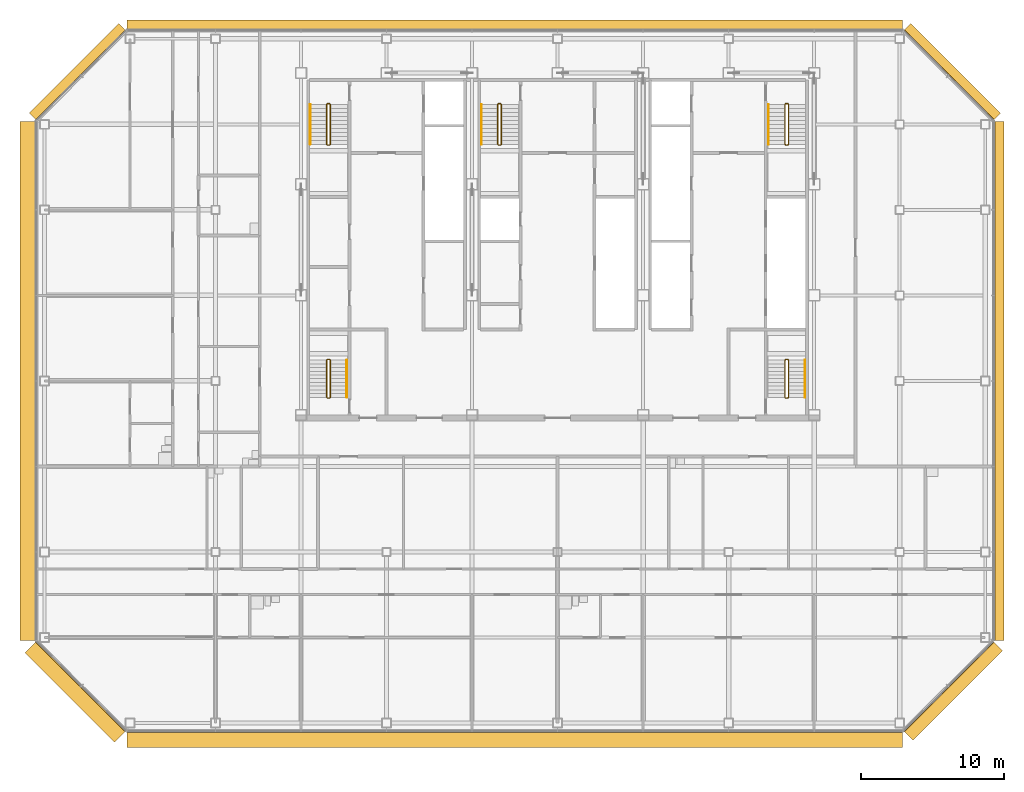
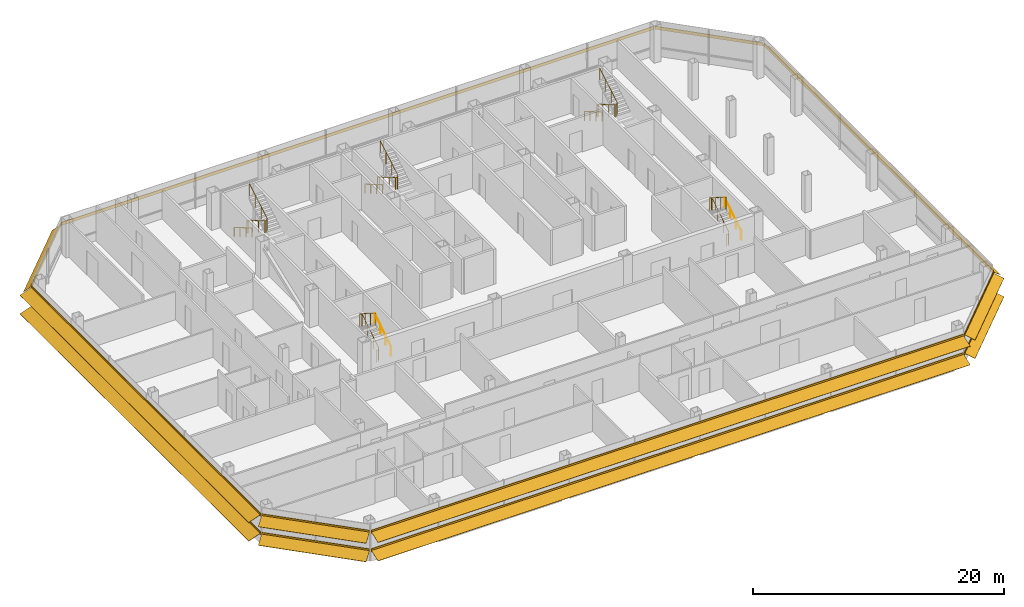
# One storey, part 25 of 26: 10 railings, 8 shading devices.
"""IFC4 building model written with IfcOpenShell, lengths in metres."""

from ifc_helpers import new_model, si_unit, direction, frame, origin, origin_2d, place, context, subcontext, project, spatial, polyline, circle, outline, composite_profile, extrude, material, type_object, element, save


model = new_model("IFC4")

# Units and contexts
model_context = context("Model", 3, precision=1e-05, world=origin(), true_north=direction((0.0, 1.0)))
body_context = subcontext(model_context, "Body", "Model", "MODEL_VIEW")
ifc_project = project(units=[si_unit("LENGTHUNIT", "METRE"), si_unit("AREAUNIT", "SQUARE_METRE"), si_unit("VOLUMEUNIT", "CUBIC_METRE"), si_unit("PLANEANGLEUNIT", "RADIAN"), si_unit("MASSUNIT", "GRAM", prefix="KILO")], contexts=[model_context])

# Site, building, storey
site_placement = place(None, origin())
site = spatial("IfcSite", under=ifc_project, at=site_placement, CompositionType="ELEMENT")
building_placement = place(site_placement, origin())
building = spatial("IfcBuilding", under=site, at=building_placement, Name="Sorahane Residences", CompositionType="ELEMENT")
storey_placement = place(building_placement, frame((0.0, 0.0, 222.60009765625)))
storey = spatial("IfcBuildingStorey", under=building, at=storey_placement, Name="L52", CompositionType="ELEMENT", Elevation=222.60009765625)

# Shading devices
ifc_material_1 = material(Name="Terracotta anodised aluminium", Category="masonry")
shading_device_type_1 = type_object("IfcShadingDeviceType", Name="Louvre sunshade blade E terracotta aluminium 700", PredefinedType="JALOUSIE", material=ifc_material_1)
shading_device_1_placement = place(storey_placement, frame((54.60009765625, 5.801513671875, 2.699951171875), z_axis=(0.0, 1.0, 0.0), x_axis=(-1.0, 0.0, 0.0)))
element("IfcShadingDevice", 1, at=shading_device_1_placement, inside=storey, type_object=shading_device_type_1, Name="Louvre sunshade blade bank E L52 E1", PredefinedType="JALOUSIE", context=body_context, shape_type="SweptSolid", body=[
    extrude(outline(polyline([(-0.719970703125, -0.49365234375), (-0.719970703125, -0.523681640625), (-0.080078125, -0.05859375), (-0.080078125, -0.14990234375), (-0.02001953125, -0.14990234375), (-0.02001953125, -0.014892578125), (-0.02001953125, 0.014892578125), (-0.02001953125, 0.14990234375), (-0.080078125, 0.14990234375), (-0.080078125, -0.028564453125), (-0.719970703125, -0.49365234375)])), origin(), (0.0, 0.0, 1.0), 36.39697265625),
])
ifc_material_2 = material(Name="Terracotta anodised aluminium", Category="masonry")
shading_device_type_2 = type_object("IfcShadingDeviceType", Name="Louvre sunshade blade N terracotta aluminium 700", PredefinedType="JALOUSIE", material=ifc_material_2)
shading_device_2_placement = place(storey_placement, frame((48.198486328125, 48.60009765625, 2.699951171875), z_axis=(-1.0, 0.0, 0.0), x_axis=(0.0, -1.0, 0.0)))
element("IfcShadingDevice", 2, at=shading_device_2_placement, inside=storey, type_object=shading_device_type_2, Name="Louvre sunshade blade bank N L52 N1", PredefinedType="JALOUSIE", context=body_context, shape_type="SweptSolid", body=[
    extrude(outline(polyline([(-0.719970703125, -0.660888671875), (-0.719970703125, -0.69091796875), (-0.080078125, -0.072998046875), (-0.080078125, -0.14990234375), (-0.02001953125, -0.14990234375), (-0.02001953125, -0.014892578125), (-0.02001953125, 0.014892578125), (-0.02001953125, 0.14990234375), (-0.080078125, 0.14990234375), (-0.080078125, -0.04296875), (-0.719970703125, -0.660888671875)])), origin(), (0.0, 0.0, 1.0), 54.39697265625),
])
ifc_material_3 = material(Name="Terracotta anodised aluminium", Category="masonry")
shading_device_type_3 = type_object("IfcShadingDeviceType", Name="Louvre sunshade blade NE terracotta aluminium 700", PredefinedType="JALOUSIE", material=ifc_material_3)
shading_device_3_placement = place(storey_placement, frame((54.564697265625, 42.283935546875, 2.699951171875), z_axis=(-0.707106781187, 0.707106781187, 0.0), x_axis=(-0.707106781187, -0.707106781187, 0.0)))
element("IfcShadingDevice", 3, at=shading_device_3_placement, inside=storey, type_object=shading_device_type_3, Name="Louvre sunshade blade bank NE L52 NE1", PredefinedType="JALOUSIE", context=body_context, shape_type="SweptSolid", body=[
    extrude(outline(polyline([(-0.719970703125, -0.572509765625), (-0.719970703125, -0.602294921875), (-0.080078125, -0.065185546875), (-0.080078125, -0.14990234375), (-0.02001953125, -0.14990234375), (-0.02001953125, -0.014892578125), (-0.02001953125, 0.014892578125), (-0.02001953125, 0.14990234375), (-0.080078125, 0.14990234375), (-0.080078125, -0.035400390625), (-0.719970703125, -0.572509765625)])), origin(), (0.0, 0.0, 1.0), 8.88232421875),
])
ifc_material_4 = material(Name="Terracotta anodised aluminium", Category="masonry")
shading_device_type_4 = type_object("IfcShadingDeviceType", Name="Louvre sunshade blade NW terracotta aluminium 700", PredefinedType="JALOUSIE", material=ifc_material_4)
shading_device_4_placement = place(storey_placement, frame((-6.283935546875, 48.564697265625, 2.699951171875), z_axis=(-0.707106781187, -0.707106781187, 0.0), x_axis=(0.707106781187, -0.707106781187, 0.0)))
element("IfcShadingDevice", 4, at=shading_device_4_placement, inside=storey, type_object=shading_device_type_4, Name="Louvre sunshade blade bank NW L52 NW1", PredefinedType="JALOUSIE", context=body_context, shape_type="SweptSolid", body=[
    extrude(outline(polyline([(-0.719970703125, -0.660888671875), (-0.719970703125, -0.69091796875), (-0.080078125, -0.072998046875), (-0.080078125, -0.14990234375), (-0.02001953125, -0.14990234375), (-0.02001953125, -0.014892578125), (-0.02001953125, 0.014892578125), (-0.02001953125, 0.14990234375), (-0.080078125, 0.14990234375), (-0.080078125, -0.04296875), (-0.719970703125, -0.660888671875)])), origin(), (0.0, 0.0, 1.0), 8.88232421875),
])
ifc_material_5 = material(Name="Terracotta anodised aluminium", Category="masonry")
shading_device_type_5 = type_object("IfcShadingDeviceType", Name="Louvre sunshade blade S terracotta aluminium 1100", PredefinedType="JALOUSIE", material=ifc_material_5)
shading_device_5_placement = place(storey_placement, frame((-6.198486328125, -0.60009765625, 0.89990234375), z_axis=(1.0, 0.0, 0.0), x_axis=(0.0, 1.0, 0.0)))
element("IfcShadingDevice", 5, at=shading_device_5_placement, inside=storey, type_object=shading_device_type_5, Name="Louvre sunshade blade bank S L52 S1", PredefinedType="JALOUSIE", context=body_context, shape_type="SweptSolid", body=[
    extrude(composite_profile([outline(polyline([(-1.1201171875, -0.385498046875), (-1.1201171875, -0.415283203125), (-0.080078125, -0.036865234375), (-0.080078125, -0.14990234375), (-0.02001953125, -0.14990234375), (-0.02001953125, -0.014892578125), (-0.02001953125, 0.014892578125), (-0.02001953125, 0.14990234375), (-0.080078125, 0.14990234375), (-0.080078125, -0.0068359375), (-1.1201171875, -0.385498046875)])), outline(polyline([(-1.1201171875, 1.41455078125), (-1.1201171875, 1.384521484375), (-0.080078125, 1.76318359375), (-0.080078125, 1.64990234375), (-0.02001953125, 1.64990234375), (-0.02001953125, 1.784912109375), (-0.02001953125, 1.81494140625), (-0.02001953125, 1.949951171875), (-0.080078125, 1.949951171875), (-0.080078125, 1.793212890625), (-1.1201171875, 1.41455078125)]))]), origin(), (0.0, 0.0, 1.0), 54.39697265625),
])
ifc_material_6 = material(Name="Terracotta anodised aluminium", Category="masonry")
shading_device_type_6 = type_object("IfcShadingDeviceType", Name="Louvre sunshade blade SE terracotta aluminium 900", PredefinedType="JALOUSIE", material=ifc_material_6)
shading_device_6_placement = place(storey_placement, frame((48.283935546875, -0.564697265625, 0.89990234375), z_axis=(0.707106781187, 0.707106781187, 0.0), x_axis=(-0.707106781187, 0.707106781187, 0.0)))
element("IfcShadingDevice", 6, at=shading_device_6_placement, inside=storey, type_object=shading_device_type_6, Name="Louvre sunshade blade bank SE L52 SE1", PredefinedType="JALOUSIE", context=body_context, shape_type="SweptSolid", body=[
    extrude(composite_profile([outline(polyline([(-0.919921875, -0.3486328125), (-0.919921875, -0.378662109375), (-0.080078125, -0.039306640625), (-0.080078125, -0.14990234375), (-0.02001953125, -0.14990234375), (-0.02001953125, -0.014892578125), (-0.02001953125, 0.014892578125), (-0.02001953125, 0.14990234375), (-0.080078125, 0.14990234375), (-0.080078125, -0.00927734375), (-0.919921875, -0.3486328125)])), outline(polyline([(-0.919921875, 1.451416015625), (-0.919921875, 1.42138671875), (-0.080078125, 1.7607421875), (-0.080078125, 1.64990234375), (-0.02001953125, 1.64990234375), (-0.02001953125, 1.784912109375), (-0.02001953125, 1.81494140625), (-0.02001953125, 1.949951171875), (-0.080078125, 1.949951171875), (-0.080078125, 1.790771484375), (-0.919921875, 1.451416015625)]))]), origin(), (0.0, 0.0, 1.0), 8.88232421875),
])
ifc_material_7 = material(Name="Terracotta anodised aluminium", Category="masonry")
shading_device_type_7 = type_object("IfcShadingDeviceType", Name="Louvre sunshade blade SW terracotta aluminium 1100", PredefinedType="JALOUSIE", material=ifc_material_7)
shading_device_7_placement = place(storey_placement, frame((-12.564697265625, 5.716064453125, 0.89990234375), z_axis=(0.707106781187, -0.707106781187, 0.0), x_axis=(0.707106781187, 0.707106781187, 0.0)))
element("IfcShadingDevice", 7, at=shading_device_7_placement, inside=storey, type_object=shading_device_type_7, Name="Louvre sunshade blade bank SW L52 SW1", PredefinedType="JALOUSIE", context=body_context, shape_type="SweptSolid", body=[
    extrude(composite_profile([outline(polyline([(-1.1201171875, -0.385498046875), (-1.1201171875, -0.415283203125), (-0.080078125, -0.036865234375), (-0.080078125, -0.14990234375), (-0.02001953125, -0.14990234375), (-0.02001953125, -0.014892578125), (-0.02001953125, 0.014892578125), (-0.02001953125, 0.14990234375), (-0.080078125, 0.14990234375), (-0.080078125, -0.0068359375), (-1.1201171875, -0.385498046875)])), outline(polyline([(-1.1201171875, 1.41455078125), (-1.1201171875, 1.384521484375), (-0.080078125, 1.76318359375), (-0.080078125, 1.64990234375), (-0.02001953125, 1.64990234375), (-0.02001953125, 1.784912109375), (-0.02001953125, 1.81494140625), (-0.02001953125, 1.949951171875), (-0.080078125, 1.949951171875), (-0.080078125, 1.793212890625), (-1.1201171875, 1.41455078125)]))]), origin(), (0.0, 0.0, 1.0), 8.88232421875),
])
ifc_material_8 = material(Name="Terracotta anodised aluminium", Category="masonry")
shading_device_type_8 = type_object("IfcShadingDeviceType", Name="Louvre sunshade blade W terracotta aluminium 1100", PredefinedType="JALOUSIE", material=ifc_material_8)
shading_device_8_placement = place(storey_placement, frame((-12.60009765625, 42.198486328125, 0.89990234375), z_axis=(0.0, -1.0, 0.0), x_axis=(1.0, 0.0, 0.0)))
element("IfcShadingDevice", 8, at=shading_device_8_placement, inside=storey, type_object=shading_device_type_8, Name="Louvre sunshade blade bank W L52 W1", PredefinedType="JALOUSIE", context=body_context, shape_type="SweptSolid", body=[
    extrude(composite_profile([outline(polyline([(-1.1201171875, -0.385498046875), (-1.1201171875, -0.415283203125), (-0.080078125, -0.036865234375), (-0.080078125, -0.14990234375), (-0.02001953125, -0.14990234375), (-0.02001953125, -0.014892578125), (-0.02001953125, 0.014892578125), (-0.02001953125, 0.14990234375), (-0.080078125, 0.14990234375), (-0.080078125, -0.0068359375), (-1.1201171875, -0.385498046875)])), outline(polyline([(-1.1201171875, 1.41455078125), (-1.1201171875, 1.384521484375), (-0.080078125, 1.76318359375), (-0.080078125, 1.64990234375), (-0.02001953125, 1.64990234375), (-0.02001953125, 1.784912109375), (-0.02001953125, 1.81494140625), (-0.02001953125, 1.949951171875), (-0.080078125, 1.949951171875), (-0.080078125, 1.793212890625), (-1.1201171875, 1.41455078125)]))]), origin(), (0.0, 0.0, 1.0), 36.39697265625),
])

# Railings
ifc_material_9 = material(Name="Steel Q355B", Category="steel")
railing_type_1 = type_object("IfcRailingType", Name="Stair guard 1200 Steel Q355B", PredefinedType="GUARDRAIL", material=ifc_material_9)
railing_1_placement = place(storey_placement, frame((8.0, 43.449951171875, 0.0)))
element("IfcRailing", 9, at=railing_1_placement, inside=storey, type_object=railing_type_1, Name="L52 S1 stair guard 1", PredefinedType="GUARDRAIL", context=body_context, shape_type="SweptSolid", body=[
    extrude(circle(Radius=0.02392578125, at=origin_2d()), frame((0.0, 0.0, 1.17578125), z_axis=(-1.0, 0.0, 0.0), x_axis=(0.0, -1.0, 0.0)), (0.0, 0.0, 1.0), 0.14990234375),
    extrude(circle(Radius=0.02392578125, at=origin_2d()), frame((-0.14990234375, 0.0, 1.17578125), z_axis=(-0.280808744504, -0.280808744504, 0.917765164963), x_axis=(0.707106781187, -0.707106781187, 0.0)), (0.0, 0.0, 1.0), 0.17822265625),
    extrude(circle(Radius=0.02392578125, at=origin_2d()), frame((-0.199951171875, -0.050048828125, 1.33935546875), z_axis=(0.0, -0.863374499697, 0.504563646405), x_axis=(1.0, 0.0, 0.0)), (0.0, 0.0, 1.0), 3.242919921875),
    extrude(circle(Radius=0.02392578125, at=origin_2d()), frame((-0.199951171875, -2.849853515625, 2.9755859375), z_axis=(0.707106781187, -0.707106781187, 0.0), x_axis=(0.707106781187, 0.707106781187, 0.0)), (0.0, 0.0, 1.0), 0.07080078125),
    extrude(circle(Radius=0.02392578125, at=origin_2d()), frame((-0.14990234375, -2.89990234375, 2.9755859375), z_axis=(1.0, 0.0, 0.0), x_axis=(0.0, 1.0, 0.0)), (0.0, 0.0, 1.0), 0.14990234375),
    extrude(circle(Radius=0.02392578125, at=origin_2d()), frame((0.0, -2.89990234375, 2.9755859375), z_axis=(0.280456126637, 0.280456126637, 0.917980785237), x_axis=(-0.707106781187, 0.707106781187, 0.0)), (0.0, 0.0, 1.0), 0.178466796875),
    extrude(circle(Radius=0.02392578125, at=origin_2d()), frame((0.050048828125, -2.849853515625, 3.1396484375), z_axis=(0.0, 0.863374499697, 0.504563646405), x_axis=(-1.0, 0.0, 0.0)), (0.0, 0.0, 1.0), 3.242919921875),
    extrude(circle(Radius=0.02099609375, at=origin_2d()), origin(), (0.0, 0.0, 1.0), 1.15185546875),
    extrude(circle(Radius=0.02099609375, at=origin_2d()), frame((-0.14990234375, 0.0, 0.0)), (0.0, 0.0, 1.0), 1.15185546875),
    extrude(circle(Radius=0.02099609375, at=origin_2d()), frame((-0.199951171875, -0.050048828125, 0.16357421875)), (0.0, 0.0, 1.0), 1.15185546875),
    extrude(circle(Radius=0.02099609375, at=origin_2d()), frame((-0.199951171875, -0.9833984375, 0.708984375)), (0.0, 0.0, 1.0), 1.15185546875),
    extrude(circle(Radius=0.02099609375, at=origin_2d()), frame((-0.199951171875, -1.91650390625, 1.25439453125)), (0.0, 0.0, 1.0), 1.15185546875),
    extrude(circle(Radius=0.02099609375, at=origin_2d()), frame((-0.199951171875, -2.849853515625, 1.7998046875)), (0.0, 0.0, 1.0), 1.15185546875),
    extrude(circle(Radius=0.02099609375, at=origin_2d()), frame((-0.14990234375, -2.89990234375, 1.7998046875)), (0.0, 0.0, 1.0), 1.15185546875),
    extrude(circle(Radius=0.02099609375, at=origin_2d()), frame((0.0, -2.89990234375, 1.7998046875)), (0.0, 0.0, 1.0), 1.15185546875),
    extrude(circle(Radius=0.02099609375, at=origin_2d()), frame((0.050048828125, -2.849853515625, 1.963623046875)), (0.0, 0.0, 1.0), 1.15185546875),
    extrude(circle(Radius=0.02099609375, at=origin_2d()), frame((0.050048828125, -1.91650390625, 2.509033203125)), (0.0, 0.0, 1.0), 1.15185546875),
    extrude(circle(Radius=0.02099609375, at=origin_2d()), frame((0.050048828125, -0.9833984375, 3.054443359375)), (0.0, 0.0, 1.0), 1.15185546875),
    extrude(circle(Radius=0.02099609375, at=origin_2d()), frame((0.050048828125, -0.050048828125, 3.599853515625)), (0.0, 0.0, 1.0), 1.15185546875),
])
railing_2_placement = place(storey_placement, frame((40.14990234375, 43.449951171875, 0.0)))
element("IfcRailing", 10, at=railing_2_placement, inside=storey, type_object=railing_type_1, Name="L52 S2 stair guard 1", PredefinedType="GUARDRAIL", context=body_context, shape_type="SweptSolid", body=[
    extrude(circle(Radius=0.02392578125, at=origin_2d()), frame((0.0, 0.0, 1.17578125), z_axis=(-1.0, 0.0, 0.0), x_axis=(0.0, -1.0, 0.0)), (0.0, 0.0, 1.0), 0.14990234375),
    extrude(circle(Radius=0.02392578125, at=origin_2d()), frame((-0.14990234375, 0.0, 1.17578125), z_axis=(-0.280808744504, -0.280808744504, 0.917765164963), x_axis=(0.707106781187, -0.707106781187, 0.0)), (0.0, 0.0, 1.0), 0.17822265625),
    extrude(circle(Radius=0.02392578125, at=origin_2d()), frame((-0.199951171875, -0.050048828125, 1.33935546875), z_axis=(0.0, -0.863374499697, 0.504563646405), x_axis=(1.0, 0.0, 0.0)), (0.0, 0.0, 1.0), 3.242919921875),
    extrude(circle(Radius=0.02392578125, at=origin_2d()), frame((-0.199951171875, -2.849853515625, 2.9755859375), z_axis=(0.707106781187, -0.707106781187, 0.0), x_axis=(0.707106781187, 0.707106781187, 0.0)), (0.0, 0.0, 1.0), 0.07080078125),
    extrude(circle(Radius=0.02392578125, at=origin_2d()), frame((-0.14990234375, -2.89990234375, 2.9755859375), z_axis=(1.0, 0.0, 0.0), x_axis=(0.0, 1.0, 0.0)), (0.0, 0.0, 1.0), 0.14990234375),
    extrude(circle(Radius=0.02392578125, at=origin_2d()), frame((0.0, -2.89990234375, 2.9755859375), z_axis=(0.280456126637, 0.280456126637, 0.917980785237), x_axis=(-0.707106781187, 0.707106781187, 0.0)), (0.0, 0.0, 1.0), 0.178466796875),
    extrude(circle(Radius=0.02392578125, at=origin_2d()), frame((0.050048828125, -2.849853515625, 3.1396484375), z_axis=(0.0, 0.863374499697, 0.504563646405), x_axis=(-1.0, 0.0, 0.0)), (0.0, 0.0, 1.0), 3.242919921875),
    extrude(circle(Radius=0.02099609375, at=origin_2d()), origin(), (0.0, 0.0, 1.0), 1.15185546875),
    extrude(circle(Radius=0.02099609375, at=origin_2d()), frame((-0.14990234375, 0.0, 0.0)), (0.0, 0.0, 1.0), 1.15185546875),
    extrude(circle(Radius=0.02099609375, at=origin_2d()), frame((-0.199951171875, -0.050048828125, 0.16357421875)), (0.0, 0.0, 1.0), 1.15185546875),
    extrude(circle(Radius=0.02099609375, at=origin_2d()), frame((-0.199951171875, -0.9833984375, 0.708984375)), (0.0, 0.0, 1.0), 1.15185546875),
    extrude(circle(Radius=0.02099609375, at=origin_2d()), frame((-0.199951171875, -1.91650390625, 1.25439453125)), (0.0, 0.0, 1.0), 1.15185546875),
    extrude(circle(Radius=0.02099609375, at=origin_2d()), frame((-0.199951171875, -2.849853515625, 1.7998046875)), (0.0, 0.0, 1.0), 1.15185546875),
    extrude(circle(Radius=0.02099609375, at=origin_2d()), frame((-0.14990234375, -2.89990234375, 1.7998046875)), (0.0, 0.0, 1.0), 1.15185546875),
    extrude(circle(Radius=0.02099609375, at=origin_2d()), frame((0.0, -2.89990234375, 1.7998046875)), (0.0, 0.0, 1.0), 1.15185546875),
    extrude(circle(Radius=0.02099609375, at=origin_2d()), frame((0.050048828125, -2.849853515625, 1.963623046875)), (0.0, 0.0, 1.0), 1.15185546875),
    extrude(circle(Radius=0.02099609375, at=origin_2d()), frame((0.050048828125, -1.91650390625, 2.509033203125)), (0.0, 0.0, 1.0), 1.15185546875),
    extrude(circle(Radius=0.02099609375, at=origin_2d()), frame((0.050048828125, -0.9833984375, 3.054443359375)), (0.0, 0.0, 1.0), 1.15185546875),
    extrude(circle(Radius=0.02099609375, at=origin_2d()), frame((0.050048828125, -0.050048828125, 3.599853515625)), (0.0, 0.0, 1.0), 1.15185546875),
])
railing_3_placement = place(storey_placement, frame((20.0, 43.449951171875, 0.0)))
element("IfcRailing", 11, at=railing_3_placement, inside=storey, type_object=railing_type_1, Name="L52 S3 stair guard 1", PredefinedType="GUARDRAIL", context=body_context, shape_type="SweptSolid", body=[
    extrude(circle(Radius=0.02392578125, at=origin_2d()), frame((0.0, 0.0, 1.17578125), z_axis=(-1.0, 0.0, 0.0), x_axis=(0.0, -1.0, 0.0)), (0.0, 0.0, 1.0), 0.14990234375),
    extrude(circle(Radius=0.02392578125, at=origin_2d()), frame((-0.14990234375, 0.0, 1.17578125), z_axis=(-0.280808744504, -0.280808744504, 0.917765164963), x_axis=(0.707106781187, -0.707106781187, 0.0)), (0.0, 0.0, 1.0), 0.17822265625),
    extrude(circle(Radius=0.02392578125, at=origin_2d()), frame((-0.199951171875, -0.050048828125, 1.33935546875), z_axis=(0.0, -0.863374499697, 0.504563646405), x_axis=(1.0, 0.0, 0.0)), (0.0, 0.0, 1.0), 3.242919921875),
    extrude(circle(Radius=0.02392578125, at=origin_2d()), frame((-0.199951171875, -2.849853515625, 2.9755859375), z_axis=(0.707106781187, -0.707106781187, 0.0), x_axis=(0.707106781187, 0.707106781187, 0.0)), (0.0, 0.0, 1.0), 0.07080078125),
    extrude(circle(Radius=0.02392578125, at=origin_2d()), frame((-0.14990234375, -2.89990234375, 2.9755859375), z_axis=(1.0, 0.0, 0.0), x_axis=(0.0, 1.0, 0.0)), (0.0, 0.0, 1.0), 0.14990234375),
    extrude(circle(Radius=0.02392578125, at=origin_2d()), frame((0.0, -2.89990234375, 2.9755859375), z_axis=(0.280456126637, 0.280456126637, 0.917980785237), x_axis=(-0.707106781187, 0.707106781187, 0.0)), (0.0, 0.0, 1.0), 0.178466796875),
    extrude(circle(Radius=0.02392578125, at=origin_2d()), frame((0.050048828125, -2.849853515625, 3.1396484375), z_axis=(0.0, 0.863374499697, 0.504563646405), x_axis=(-1.0, 0.0, 0.0)), (0.0, 0.0, 1.0), 3.242919921875),
    extrude(circle(Radius=0.02099609375, at=origin_2d()), origin(), (0.0, 0.0, 1.0), 1.15185546875),
    extrude(circle(Radius=0.02099609375, at=origin_2d()), frame((-0.14990234375, 0.0, 0.0)), (0.0, 0.0, 1.0), 1.15185546875),
    extrude(circle(Radius=0.02099609375, at=origin_2d()), frame((-0.199951171875, -0.050048828125, 0.16357421875)), (0.0, 0.0, 1.0), 1.15185546875),
    extrude(circle(Radius=0.02099609375, at=origin_2d()), frame((-0.199951171875, -0.9833984375, 0.708984375)), (0.0, 0.0, 1.0), 1.15185546875),
    extrude(circle(Radius=0.02099609375, at=origin_2d()), frame((-0.199951171875, -1.91650390625, 1.25439453125)), (0.0, 0.0, 1.0), 1.15185546875),
    extrude(circle(Radius=0.02099609375, at=origin_2d()), frame((-0.199951171875, -2.849853515625, 1.7998046875)), (0.0, 0.0, 1.0), 1.15185546875),
    extrude(circle(Radius=0.02099609375, at=origin_2d()), frame((-0.14990234375, -2.89990234375, 1.7998046875)), (0.0, 0.0, 1.0), 1.15185546875),
    extrude(circle(Radius=0.02099609375, at=origin_2d()), frame((0.0, -2.89990234375, 1.7998046875)), (0.0, 0.0, 1.0), 1.15185546875),
    extrude(circle(Radius=0.02099609375, at=origin_2d()), frame((0.050048828125, -2.849853515625, 1.963623046875)), (0.0, 0.0, 1.0), 1.15185546875),
    extrude(circle(Radius=0.02099609375, at=origin_2d()), frame((0.050048828125, -1.91650390625, 2.509033203125)), (0.0, 0.0, 1.0), 1.15185546875),
    extrude(circle(Radius=0.02099609375, at=origin_2d()), frame((0.050048828125, -0.9833984375, 3.054443359375)), (0.0, 0.0, 1.0), 1.15185546875),
    extrude(circle(Radius=0.02099609375, at=origin_2d()), frame((0.050048828125, -0.050048828125, 3.599853515625)), (0.0, 0.0, 1.0), 1.15185546875),
])
railing_4_placement = place(storey_placement, frame((7.85009765625, 22.800048828125, 0.0)))
element("IfcRailing", 12, at=railing_4_placement, inside=storey, type_object=railing_type_1, Name="L52 S4 stair guard 1", PredefinedType="GUARDRAIL", context=body_context, shape_type="SweptSolid", body=[
    extrude(circle(Radius=0.02392578125, at=origin_2d()), frame((0.0, 0.0, 1.17578125), z_axis=(1.0, 0.0, 0.0), x_axis=(0.0, 1.0, 0.0)), (0.0, 0.0, 1.0), 0.14990234375),
    extrude(circle(Radius=0.02392578125, at=origin_2d()), frame((0.14990234375, 0.0, 1.17578125), z_axis=(0.280808744504, 0.280808744504, 0.917765164963), x_axis=(-0.707106781187, 0.707106781187, 0.0)), (0.0, 0.0, 1.0), 0.17822265625),
    extrude(circle(Radius=0.02392578125, at=origin_2d()), frame((0.199951171875, 0.050048828125, 1.33935546875), z_axis=(0.0, 0.846337672412, 0.532646734952), x_axis=(-1.0, 0.0, 0.0)), (0.0, 0.0, 1.0), 3.07177734375),
    extrude(circle(Radius=0.02392578125, at=origin_2d()), frame((0.199951171875, 2.64990234375, 2.9755859375), z_axis=(-0.707106781187, 0.707106781187, 0.0), x_axis=(-0.707106781187, -0.707106781187, 0.0)), (0.0, 0.0, 1.0), 0.07080078125),
    extrude(circle(Radius=0.02392578125, at=origin_2d()), frame((0.14990234375, 2.699951171875, 2.9755859375), z_axis=(-1.0, 0.0, 0.0), x_axis=(0.0, -1.0, 0.0)), (0.0, 0.0, 1.0), 0.14990234375),
    extrude(circle(Radius=0.02392578125, at=origin_2d()), frame((0.0, 2.699951171875, 2.9755859375), z_axis=(-0.280456126637, -0.280456126637, 0.917980785237), x_axis=(0.707106781187, -0.707106781187, 0.0)), (0.0, 0.0, 1.0), 0.178466796875),
    extrude(circle(Radius=0.02392578125, at=origin_2d()), frame((-0.050048828125, 2.64990234375, 3.1396484375), z_axis=(0.0, -0.846337672412, 0.532646734952), x_axis=(1.0, 0.0, 0.0)), (0.0, 0.0, 1.0), 3.07177734375),
    extrude(circle(Radius=0.02099609375, at=origin_2d()), origin(), (0.0, 0.0, 1.0), 1.15185546875),
    extrude(circle(Radius=0.02099609375, at=origin_2d()), frame((0.14990234375, 0.0, 0.0)), (0.0, 0.0, 1.0), 1.15185546875),
    extrude(circle(Radius=0.02099609375, at=origin_2d()), frame((0.199951171875, 0.050048828125, 0.16357421875)), (0.0, 0.0, 1.0), 1.15185546875),
    extrude(circle(Radius=0.02099609375, at=origin_2d()), frame((0.199951171875, 0.916748046875, 0.708984375)), (0.0, 0.0, 1.0), 1.15185546875),
    extrude(circle(Radius=0.02099609375, at=origin_2d()), frame((0.199951171875, 1.783203125, 1.25439453125)), (0.0, 0.0, 1.0), 1.15185546875),
    extrude(circle(Radius=0.02099609375, at=origin_2d()), frame((0.199951171875, 2.64990234375, 1.7998046875)), (0.0, 0.0, 1.0), 1.15185546875),
    extrude(circle(Radius=0.02099609375, at=origin_2d()), frame((0.14990234375, 2.699951171875, 1.7998046875)), (0.0, 0.0, 1.0), 1.15185546875),
    extrude(circle(Radius=0.02099609375, at=origin_2d()), frame((0.0, 2.699951171875, 1.7998046875)), (0.0, 0.0, 1.0), 1.15185546875),
    extrude(circle(Radius=0.02099609375, at=origin_2d()), frame((-0.050048828125, 2.64990234375, 1.963623046875)), (0.0, 0.0, 1.0), 1.15185546875),
    extrude(circle(Radius=0.02099609375, at=origin_2d()), frame((-0.050048828125, 1.783203125, 2.509033203125)), (0.0, 0.0, 1.0), 1.15185546875),
    extrude(circle(Radius=0.02099609375, at=origin_2d()), frame((-0.050048828125, 0.916748046875, 3.054443359375)), (0.0, 0.0, 1.0), 1.15185546875),
    extrude(circle(Radius=0.02099609375, at=origin_2d()), frame((-0.050048828125, 0.050048828125, 3.599853515625)), (0.0, 0.0, 1.0), 1.15185546875),
])
railing_5_placement = place(storey_placement, frame((40.0, 22.800048828125, 0.0)))
element("IfcRailing", 13, at=railing_5_placement, inside=storey, type_object=railing_type_1, Name="L52 S5 stair guard 1", PredefinedType="GUARDRAIL", context=body_context, shape_type="SweptSolid", body=[
    extrude(circle(Radius=0.02392578125, at=origin_2d()), frame((0.0, 0.0, 1.17578125), z_axis=(1.0, 0.0, 0.0), x_axis=(0.0, 1.0, 0.0)), (0.0, 0.0, 1.0), 0.14990234375),
    extrude(circle(Radius=0.02392578125, at=origin_2d()), frame((0.14990234375, 0.0, 1.17578125), z_axis=(0.280808744504, 0.280808744504, 0.917765164963), x_axis=(-0.707106781187, 0.707106781187, 0.0)), (0.0, 0.0, 1.0), 0.17822265625),
    extrude(circle(Radius=0.02392578125, at=origin_2d()), frame((0.199951171875, 0.050048828125, 1.33935546875), z_axis=(0.0, 0.846337672412, 0.532646734952), x_axis=(-1.0, 0.0, 0.0)), (0.0, 0.0, 1.0), 3.07177734375),
    extrude(circle(Radius=0.02392578125, at=origin_2d()), frame((0.199951171875, 2.64990234375, 2.9755859375), z_axis=(-0.707106781187, 0.707106781187, 0.0), x_axis=(-0.707106781187, -0.707106781187, 0.0)), (0.0, 0.0, 1.0), 0.07080078125),
    extrude(circle(Radius=0.02392578125, at=origin_2d()), frame((0.14990234375, 2.699951171875, 2.9755859375), z_axis=(-1.0, 0.0, 0.0), x_axis=(0.0, -1.0, 0.0)), (0.0, 0.0, 1.0), 0.14990234375),
    extrude(circle(Radius=0.02392578125, at=origin_2d()), frame((0.0, 2.699951171875, 2.9755859375), z_axis=(-0.280456126637, -0.280456126637, 0.917980785237), x_axis=(0.707106781187, -0.707106781187, 0.0)), (0.0, 0.0, 1.0), 0.178466796875),
    extrude(circle(Radius=0.02392578125, at=origin_2d()), frame((-0.050048828125, 2.64990234375, 3.1396484375), z_axis=(0.0, -0.846337672412, 0.532646734952), x_axis=(1.0, 0.0, 0.0)), (0.0, 0.0, 1.0), 3.07177734375),
    extrude(circle(Radius=0.02099609375, at=origin_2d()), origin(), (0.0, 0.0, 1.0), 1.15185546875),
    extrude(circle(Radius=0.02099609375, at=origin_2d()), frame((0.14990234375, 0.0, 0.0)), (0.0, 0.0, 1.0), 1.15185546875),
    extrude(circle(Radius=0.02099609375, at=origin_2d()), frame((0.199951171875, 0.050048828125, 0.16357421875)), (0.0, 0.0, 1.0), 1.15185546875),
    extrude(circle(Radius=0.02099609375, at=origin_2d()), frame((0.199951171875, 0.916748046875, 0.708984375)), (0.0, 0.0, 1.0), 1.15185546875),
    extrude(circle(Radius=0.02099609375, at=origin_2d()), frame((0.199951171875, 1.783203125, 1.25439453125)), (0.0, 0.0, 1.0), 1.15185546875),
    extrude(circle(Radius=0.02099609375, at=origin_2d()), frame((0.199951171875, 2.64990234375, 1.7998046875)), (0.0, 0.0, 1.0), 1.15185546875),
    extrude(circle(Radius=0.02099609375, at=origin_2d()), frame((0.14990234375, 2.699951171875, 1.7998046875)), (0.0, 0.0, 1.0), 1.15185546875),
    extrude(circle(Radius=0.02099609375, at=origin_2d()), frame((0.0, 2.699951171875, 1.7998046875)), (0.0, 0.0, 1.0), 1.15185546875),
    extrude(circle(Radius=0.02099609375, at=origin_2d()), frame((-0.050048828125, 2.64990234375, 1.963623046875)), (0.0, 0.0, 1.0), 1.15185546875),
    extrude(circle(Radius=0.02099609375, at=origin_2d()), frame((-0.050048828125, 1.783203125, 2.509033203125)), (0.0, 0.0, 1.0), 1.15185546875),
    extrude(circle(Radius=0.02099609375, at=origin_2d()), frame((-0.050048828125, 0.916748046875, 3.054443359375)), (0.0, 0.0, 1.0), 1.15185546875),
    extrude(circle(Radius=0.02099609375, at=origin_2d()), frame((-0.050048828125, 0.050048828125, 3.599853515625)), (0.0, 0.0, 1.0), 1.15185546875),
])
ifc_material_10 = material(Name="Steel Q355B", Category="steel")
railing_type_2 = type_object("IfcRailingType", Name="Stair handrail 900 Steel Q355B", PredefinedType="HANDRAIL", material=ifc_material_10)
for number, where, name in (
    (14, (6.64990234375, 43.39990234375, 0.16357421875), "L52 S1 stair handrail 1"),
    (15, (38.800048828125, 43.39990234375, 0.16357421875), "L52 S2 stair handrail 1"),
    (16, (18.64990234375, 43.39990234375, 0.16357421875), "L52 S3 stair handrail 1"),
):
    element("IfcRailing", number, at=place(storey_placement, frame(where)), inside=storey, type_object=railing_type_2, Name=name, PredefinedType="HANDRAIL", context=body_context, shape_type="SweptSolid", body=[
        extrude(circle(Radius=0.02392578125, at=origin_2d()), frame((0.0, 0.0, 0.8759765625), z_axis=(0.0, -0.863374499697, 0.504563646405), x_axis=(1.0, 0.0, 0.0)), (0.0, 0.0, 1.0), 3.242919921875),
        extrude(circle(Radius=0.02099609375, at=origin_2d()), origin(), (0.0, 0.0, 1.0), 0.851806640625),
        extrude(circle(Radius=0.02099609375, at=origin_2d()), frame((0.0, -0.933349609375, 0.54541015625)), (0.0, 0.0, 1.0), 0.851806640625),
        extrude(circle(Radius=0.02099609375, at=origin_2d()), frame((0.0, -1.866455078125, 1.0908203125)), (0.0, 0.0, 1.0), 0.851806640625),
        extrude(circle(Radius=0.02099609375, at=origin_2d()), frame((0.0, -2.7998046875, 1.63623046875)), (0.0, 0.0, 1.0), 0.851806640625),
    ])
for number, where, name in (
    (17, (9.199951171875, 22.85009765625, 0.16357421875), "L52 S4 stair handrail 1"),
    (18, (41.35009765625, 22.85009765625, 0.16357421875), "L52 S5 stair handrail 1"),
):
    element("IfcRailing", number, at=place(storey_placement, frame(where)), inside=storey, type_object=railing_type_2, Name=name, PredefinedType="HANDRAIL", context=body_context, shape_type="SweptSolid", body=[
        extrude(circle(Radius=0.02392578125, at=origin_2d()), frame((0.0, 0.0, 0.8759765625), z_axis=(0.0, 0.846337672412, 0.532646734952), x_axis=(-1.0, 0.0, 0.0)), (0.0, 0.0, 1.0), 3.07177734375),
        extrude(circle(Radius=0.02099609375, at=origin_2d()), origin(), (0.0, 0.0, 1.0), 0.851806640625),
        extrude(circle(Radius=0.02099609375, at=origin_2d()), frame((0.0, 0.86669921875, 0.54541015625)), (0.0, 0.0, 1.0), 0.851806640625),
        extrude(circle(Radius=0.02099609375, at=origin_2d()), frame((0.0, 1.733154296875, 1.0908203125)), (0.0, 0.0, 1.0), 0.851806640625),
        extrude(circle(Radius=0.02099609375, at=origin_2d()), frame((0.0, 2.599853515625, 1.63623046875)), (0.0, 0.0, 1.0), 0.851806640625),
    ])

save(model, "model.ifc")
